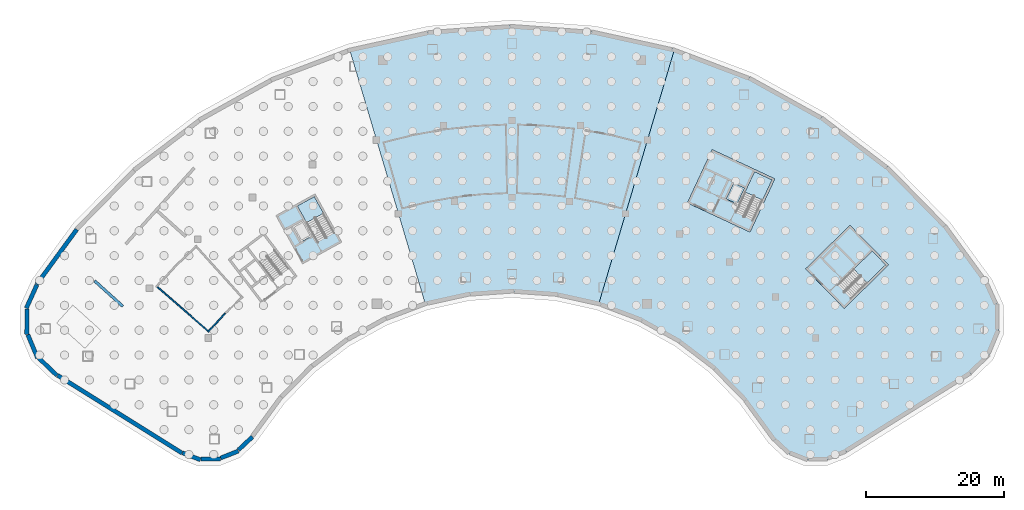
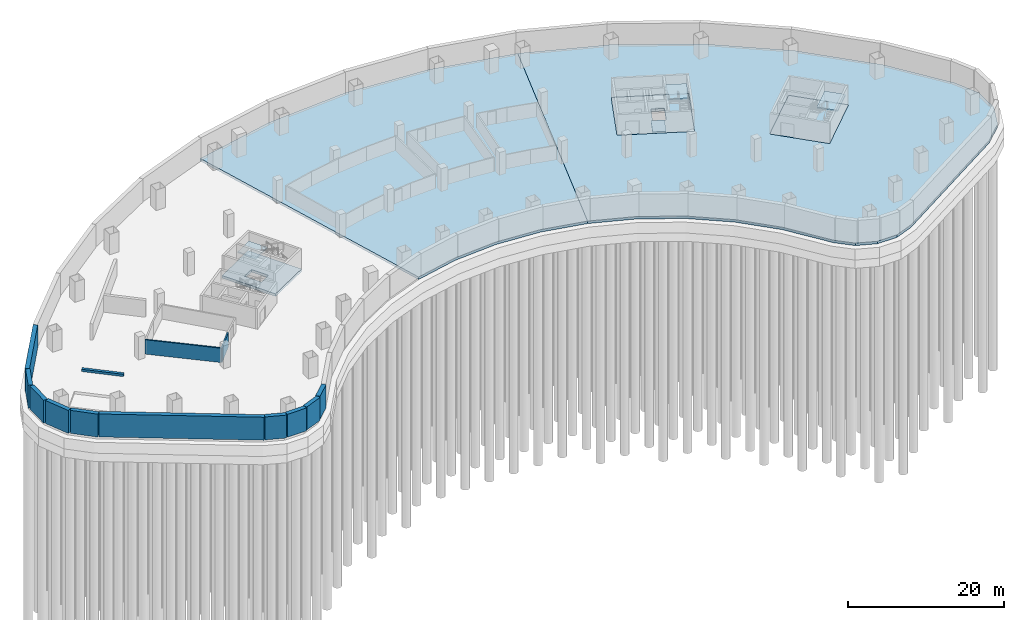
# One storey, part 3 of 10: 13 walls, 9 slabs, 3 elements without a shape of their own.
"""IFC4 building model written with IfcOpenShell, lengths in metres."""

from ifc_helpers import new_model, si_unit, direction, frame, frame_2d, origin, place, context, subcontext, project, spatial, polyline, rectangle, outline, extrude, material, layer, layer_set, type_object, element, aggregate, save


model = new_model("IFC4")

# Units and contexts
model_context = context("Model", 3, precision=1e-05, world=origin(), true_north=direction((0.0, 1.0)))
body_context = subcontext(model_context, "Body", "Model", "MODEL_VIEW")
ifc_project = project(units=[si_unit("LENGTHUNIT", "METRE"), si_unit("AREAUNIT", "SQUARE_METRE"), si_unit("VOLUMEUNIT", "CUBIC_METRE"), si_unit("PLANEANGLEUNIT", "RADIAN"), si_unit("MASSUNIT", "GRAM", prefix="KILO")], contexts=[model_context])

# Site, building, storey
site_placement = place(None, origin())
site = spatial("IfcSite", under=ifc_project, at=site_placement, CompositionType="ELEMENT")
building_placement = place(site_placement, origin())
building = spatial("IfcBuilding", under=site, at=building_placement, Name="Tuul Gate Civic Tower", CompositionType="ELEMENT")
storey_placement = place(building_placement, frame((0.0, 0.0, -11.699951171875)))
storey = spatial("IfcBuildingStorey", under=building, at=storey_placement, Name="Basement 3", CompositionType="ELEMENT", Elevation=-11.699951171875)

# Slabs
ifc_material_1 = material(Name="Concrete C40/50", Category="concrete")
ifc_layer_1 = layer(ifc_material_1, 0.39990234375)
ifc_layer_set_1 = layer_set([ifc_layer_1], Name="Concrete C40/50")
slab_type_1 = type_object("IfcSlabType", Name="Core floor slab 400", PredefinedType="FLOOR", material=ifc_layer_set_1)
slab_1_placement = place(storey_placement, frame((0.0, 0.0, -0.400146484375)))
element("IfcSlab", 1, at=slab_1_placement, inside=storey, type_object=slab_type_1, Name="FLOOR SLAB", PredefinedType="FLOOR", context=body_context, shape_type="SweptSolid", body=[
    extrude(outline(polyline([(-24.638916015625, -8.846923828125), (-28.51708984375, -1.849853515625), (-34.2021484375, -5.0009765625), (-30.32421875, -11.998046875), (-24.638916015625, -8.846923828125)]), holes=[polyline([(-29.0185546875, -7.958740234375), (-30.254638671875, -5.728515625), (-31.785400390625, -6.576904296875), (-30.54931640625, -8.80712890625), (-29.0185546875, -7.958740234375)])]), origin(), (0.0, 0.0, 1.0), 0.400146484375),
])
slab_2_placement = place(storey_placement, frame((0.0, 0.0, -0.400146484375)))
element("IfcSlab", 2, at=slab_2_placement, inside=storey, type_object=slab_type_1, Name="FLOOR SLAB", PredefinedType="FLOOR", context=body_context, shape_type="SweptSolid", body=[
    extrude(outline(polyline([(48.117919921875, -18.43310546875), (54.545166015625, -12.1328125), (48.945068359375, -6.419921875), (42.517822265625, -12.719970703125), (48.117919921875, -18.43310546875)])), origin(), (0.0, 0.0, 1.0), 0.400146484375),
])
slab_3_placement = place(storey_placement, frame((0.0, 0.0, -0.400146484375)))
element("IfcSlab", 3, at=slab_3_placement, inside=storey, type_object=slab_type_1, Name="FLOOR SLAB", PredefinedType="FLOOR", context=body_context, shape_type="SweptSolid", body=[
    extrude(outline(polyline([(34.465087890625, -7.385986328125), (38.056884765625, 0.31787109375), (28.993896484375, 4.543701171875), (25.40185546875, -3.159912109375), (34.465087890625, -7.385986328125)]), holes=[polyline([(32.60888671875, -3.32080078125), (33.6865234375, -1.009765625), (32.1005859375, -0.27001953125), (31.02294921875, -2.581298828125), (32.60888671875, -3.32080078125)])]), origin(), (0.0, 0.0, 1.0), 0.400146484375),
])

# Stair, slab
ifc_material_2 = material(Name="Concrete C40/50", Category="concrete")
stair_type = type_object("IfcStairType", Name="Exit stair", PredefinedType="HALF_TURN_STAIR", material=ifc_material_2)
stair_1_placement = place(storey_placement, origin())
stair_1 = element("IfcStair", 4, at=stair_1_placement, inside=storey, type_object=stair_type, Name="Basement 3 ST-2", PredefinedType="HALF_TURN_STAIR")
ifc_material_3 = material(Name="Concrete C40/50", Category="concrete")
ifc_layer_2 = layer(ifc_material_3, 0.199951171875)
ifc_layer_set_2 = layer_set([ifc_layer_2], Name="Concrete C40/50")
slab_type_2 = type_object("IfcSlabType", Name="Exit stair landing", PredefinedType="LANDING", material=ifc_layer_set_2)
slab_4_placement = place(storey_placement, frame((0.0, 0.0, 1.599853515625)))
slab_4 = element("IfcSlab", 5, at=slab_4_placement, type_object=slab_type_2, Name="ST-2 landing 1", PredefinedType="LANDING", context=body_context, shape_type="SweptSolid", body=[
    extrude(outline(polyline([(-27.2998046875, -4.6630859375), (-29.750244140625, -6.021240234375), (-31.084228515625, -3.61474609375), (-28.6337890625, -2.256591796875), (-27.2998046875, -4.6630859375)])), origin(), (0.0, 0.0, 1.0), 0.2001953125),
])
aggregate(stair_1, [slab_4])

stair_2_placement = place(storey_placement, origin())
stair_2 = element("IfcStair", 6, at=stair_2_placement, inside=storey, type_object=stair_type, Name="Basement 3 ST-3", PredefinedType="HALF_TURN_STAIR")
slab_5_placement = place(storey_placement, frame((0.0, 0.0, 1.599853515625)))
slab_5 = element("IfcSlab", 7, at=slab_5_placement, type_object=slab_type_2, Name="ST-3 landing 1", PredefinedType="LANDING", context=body_context, shape_type="SweptSolid", body=[
    extrude(outline(polyline([(51.44287109375, -14.7548828125), (49.481689453125, -12.754150390625), (52.160888671875, -10.1279296875), (54.1220703125, -12.128662109375), (51.44287109375, -14.7548828125)])), origin(), (0.0, 0.0, 1.0), 0.2001953125),
])
aggregate(stair_2, [slab_5])

stair_3_placement = place(storey_placement, origin())
stair_3 = element("IfcStair", 8, at=stair_3_placement, inside=storey, type_object=stair_type, Name="Basement 3 ST-4", PredefinedType="HALF_TURN_STAIR")
slab_6_placement = place(storey_placement, frame((0.0, 0.0, 1.599853515625)))
slab_6 = element("IfcSlab", 9, at=slab_6_placement, type_object=slab_type_2, Name="ST-4 landing 1", PredefinedType="LANDING", context=body_context, shape_type="SweptSolid", body=[
    extrude(outline(polyline([(36.28515625, -2.77392578125), (33.74609375, -1.590087890625), (35.1201171875, 1.35693359375), (37.659423828125, 0.173095703125), (36.28515625, -2.77392578125)])), origin(), (0.0, 0.0, 1.0), 0.2001953125),
])
aggregate(stair_3, [slab_6])

# Slabs
ifc_material_4 = material(Name="Concrete C40/50", Category="concrete")
ifc_layer_3 = layer(ifc_material_4, 0.300048828125)
ifc_layer_set_3 = layer_set([ifc_layer_3], Name="Concrete C40/50")
slab_type_3 = type_object("IfcSlabType", Name="Lift pit floor", PredefinedType="USERDEFINED", material=ifc_layer_set_3)
slab_7_placement = place(storey_placement, frame((0.0, 0.0, -2.10009765625)))
element("IfcSlab", 10, at=slab_7_placement, inside=storey, type_object=slab_type_3, Name="Lift pit floor FF-2", ObjectType="LIFT PIT FLOOR", PredefinedType="USERDEFINED", context=body_context, shape_type="SweptSolid", body=[
    extrude(outline(polyline([(32.60888671875, -3.32080078125), (33.6865234375, -1.009765625), (32.1005859375, -0.27001953125), (31.02294921875, -2.581298828125), (32.60888671875, -3.32080078125)])), origin(), (0.0, 0.0, 1.0), 0.300048828125),
])
ifc_material_5 = material(Name="Concrete C35/45", Category="concrete")
ifc_layer_4 = layer(ifc_material_5, 0.39990234375)
ifc_layer_set_4 = layer_set([ifc_layer_4], Name="Concrete C35/45")
slab_type_4 = type_object("IfcSlabType", Name="STR-BASE-SLAB-400", PredefinedType="BASESLAB", material=ifc_layer_set_4)
slab_8_placement = place(storey_placement, frame((0.0, 0.0, -0.400146484375)))
element("IfcSlab", 11, at=slab_8_placement, inside=storey, type_object=slab_type_4, Name="Basement 3/slab/M", PredefinedType="BASESLAB", context=body_context, shape_type="SweptSolid", body=[
    extrude(outline(polyline([(12.52587890625, -17.904052734375), (23.535888671875, 19.093017578125), (11.89208984375, 21.659912109375), (0.0, 22.52099609375), (-11.89208984375, 21.659912109375), (-23.535888671875, 19.093017578125), (-12.52587890625, -17.904052734375), (-6.3291015625, -16.5380859375), (0.0, -16.080078125), (6.3291015625, -16.5380859375), (12.52587890625, -17.904052734375)])), origin(), (0.0, 0.0, 1.0), 0.400146484375),
])
slab_9_placement = place(storey_placement, frame((0.0, 0.0, -0.400146484375)))
element("IfcSlab", 12, at=slab_9_placement, inside=storey, type_object=slab_type_4, Name="Basement 3/slab/E", PredefinedType="BASESLAB", context=body_context, shape_type="SweptSolid", body=[
    extrude(outline(polyline([(45.388916015625, -40.43994140625), (48.069091796875, -39.39697265625), (66.256103515625, -28.031982421875), (68.988037109375, -25.4150390625), (70.447998046875, -21.924072265625), (70.39208984375, -18.14111328125), (68.8310546875, -14.695068359375), (62.948974609375, -6.64208984375), (54.60302734375, 1.873046875), (45.116943359375, 9.095947265625), (34.68798828125, 14.8759765625), (23.535888671875, 19.093017578125), (12.52587890625, -17.904052734375), (18.4619140625, -20.14892578125), (24.011962890625, -23.22509765625), (29.06103515625, -27.070068359375), (33.50390625, -31.60107421875), (37.739990234375, -37.402099609375), (39.840087890625, -39.367919921875), (42.512939453125, -40.429931640625), (45.388916015625, -40.43994140625)]), holes=[polyline([(48.117919921875, -18.43310546875), (42.51806640625, -12.719970703125), (48.945068359375, -6.419921875), (54.544921875, -12.133056640625), (48.117919921875, -18.43310546875)]), polyline([(25.402099609375, -3.159912109375), (28.993896484375, 4.5439453125), (38.056884765625, 0.318115234375), (34.465087890625, -7.385986328125), (25.402099609375, -3.159912109375)])]), origin(), (0.0, 0.0, 1.0), 0.400146484375),
])

# Walls
ifc_material_6 = material(Name="Concrete block", Category="concrete")
ifc_layer_5 = layer(ifc_material_6, 0.199951171875)
ifc_layer_set_5 = layer_set([ifc_layer_5], Name="Concrete block")
wall_type_1 = type_object("IfcWallType", Name="Basement room wall EI 120", PredefinedType="PARTITIONING", material=ifc_layer_set_5)
wall_1_placement = place(storey_placement, frame((-41.534423828125, -19.14599609375, 0.0), z_axis=(0.0, 0.0, 1.0), x_axis=(-0.678409786411, -0.734683715418, 0.0)))
element("IfcWall", 13, at=wall_1_placement, inside=storey, type_object=wall_type_1, Name="Room wall", PredefinedType="PARTITIONING", context=body_context, shape_type="SweptSolid", body=[
    extrude(rectangle(XDim=3.674560546875, YDim=0.199951171875, at=frame_2d((1.83740234375, 0.0))), origin(), (0.0, 0.0, 1.0), 2.25),
])
wall_2_placement = place(storey_placement, frame((-43.884033203125, -21.837890625, 0.0), z_axis=(0.0, 0.0, 1.0), x_axis=(-0.754576981517, 0.656211535227, 0.0)))
element("IfcWall", 14, at=wall_2_placement, inside=storey, type_object=wall_type_1, Name="Room wall", PredefinedType="PARTITIONING", context=body_context, shape_type="SweptSolid", body=[
    extrude(rectangle(XDim=10.12890625, YDim=0.199951171875, at=frame_2d((5.064453125, 0.0))), origin(), (0.0, 0.0, 1.0), 2.25),
])
ifc_material_7 = material(Name="Concrete C40/50", Category="concrete")
ifc_layer_6 = layer(ifc_material_7, 0.39990234375)
ifc_layer_set_6 = layer_set([ifc_layer_6], Name="Concrete C40/50")
wall_type_2 = type_object("IfcWallType", Name="Ramp support wall 368 HIGH", PredefinedType="SOLIDWALL", material=ifc_layer_set_6)
wall_3_placement = place(storey_placement, frame((-60.44482421875, -14.457763671875, -0.0009765625), z_axis=(0.0, 0.0, 1.0), x_axis=(0.743157285666, -0.669116767658, 0.0)))
element("IfcWall", 15, at=wall_3_placement, inside=storey, type_object=wall_type_2, Name="Ramp support wall 368 HIGH", PredefinedType="SOLIDWALL", context=body_context, shape_type="SweptSolid", body=[
    extrude(rectangle(XDim=5.5, YDim=0.39990234375, at=frame_2d((2.75, 0.0))), origin(), (0.0, 0.0, 1.0), 0.368408203125),
])
ifc_material_8 = material(Name="Concrete C40/50", Category="concrete")
ifc_layer_7 = layer(ifc_material_8, 0.60009765625)
ifc_layer_set_7 = layer_set([ifc_layer_7], Name="Concrete C40/50")
wall_type_3 = type_object("IfcWallType", Name="STR-BASEMENT-WALL-600", PredefinedType="SOLIDWALL", material=ifc_layer_set_7)
wall_4_placement = place(storey_placement, frame((-63.036376953125, -7.014892578125, 0.0), z_axis=(0.0, 0.0, 1.0), x_axis=(-0.589717467002, -0.807609626684, 0.0)))
element("IfcWall", 16, at=wall_4_placement, inside=storey, type_object=wall_type_3, Name="Retaining wall", PredefinedType="SOLIDWALL", context=body_context, shape_type="SweptSolid", body=[
    extrude(rectangle(XDim=9.844482421875, YDim=0.60009765625, at=frame_2d((4.92236328125, 0.0))), origin(), (0.0, 0.0, 1.0), 3.599853515625),
])
wall_5_placement = place(storey_placement, frame((-68.81201171875, -15.04736328125, 0.0), z_axis=(0.0, 0.0, 1.0), x_axis=(-0.413006193116, -0.910728216565, 0.0)))
element("IfcWall", 17, at=wall_5_placement, inside=storey, type_object=wall_type_3, Name="Retaining wall", PredefinedType="SOLIDWALL", context=body_context, shape_type="SweptSolid", body=[
    extrude(rectangle(XDim=3.694580078125, YDim=0.60009765625, at=frame_2d((1.84716796875, 0.0))), origin(), (0.0, 0.0, 1.0), 3.599853515625),
])
wall_6_placement = place(storey_placement, frame((-70.2197265625, -18.53515625, 0.0), z_axis=(0.0, 0.0, 1.0), x_axis=(-0.014360576456, -0.999896881605, 0.0)))
element("IfcWall", 18, at=wall_6_placement, inside=storey, type_object=wall_type_3, Name="Retaining wall", PredefinedType="SOLIDWALL", context=body_context, shape_type="SweptSolid", body=[
    extrude(rectangle(XDim=3.6552734375, YDim=0.60009765625, at=frame_2d((1.82763671875, 0.0))), origin(), (0.0, 0.0, 1.0), 3.599853515625),
])
wall_7_placement = place(storey_placement, frame((-70.115234375, -22.255126953125, 0.0), z_axis=(0.0, 0.0, 1.0), x_axis=(0.385800961198, -0.922582038812, 0.0)))
element("IfcWall", 19, at=wall_7_placement, inside=storey, type_object=wall_type_3, Name="Retaining wall", PredefinedType="SOLIDWALL", context=body_context, shape_type="SweptSolid", body=[
    extrude(rectangle(XDim=3.654541015625, YDim=0.60009765625, at=frame_2d((1.8271484375, 0.0))), origin(), (0.0, 0.0, 1.0), 3.599853515625),
])
wall_8_placement = place(storey_placement, frame((-68.534912109375, -25.6240234375, 0.0), z_axis=(0.0, 0.0, 1.0), x_axis=(0.722138330628, -0.691748676499, 0.0)))
element("IfcWall", 20, at=wall_8_placement, inside=storey, type_object=wall_type_3, Name="Retaining wall", PredefinedType="SOLIDWALL", context=body_context, shape_type="SweptSolid", body=[
    extrude(rectangle(XDim=3.6552734375, YDim=0.60009765625, at=frame_2d((1.82763671875, 0.0))), origin(), (0.0, 0.0, 1.0), 3.599853515625),
])
wall_9_placement = place(storey_placement, frame((-65.809814453125, -28.1337890625, 0.0), z_axis=(0.0, 0.0, 1.0), x_axis=(0.848038340643, -0.529934875999, 0.0)))
element("IfcWall", 21, at=wall_9_placement, inside=storey, type_object=wall_type_3, Name="Retaining wall", PredefinedType="SOLIDWALL", context=body_context, shape_type="SweptSolid", body=[
    extrude(rectangle(XDim=21.23876953125, YDim=0.60009765625, at=frame_2d((10.619384765625, 0.0))), origin(), (0.0, 0.0, 1.0), 3.599853515625),
])
wall_10_placement = place(storey_placement, frame((-47.724853515625, -39.357666015625, 0.0), z_axis=(0.0, 0.0, 1.0), x_axis=(0.931985018109, -0.362496794497, 0.0)))
element("IfcWall", 22, at=wall_10_placement, inside=storey, type_object=wall_type_3, Name="Retaining wall", PredefinedType="SOLIDWALL", context=body_context, shape_type="SweptSolid", body=[
    extrude(rectangle(XDim=2.797607421875, YDim=0.60009765625, at=frame_2d((1.39892578125, 0.0))), origin(), (0.0, 0.0, 1.0), 3.599853515625),
])
wall_11_placement = place(storey_placement, frame((-45.0068359375, -40.26171875, 0.0), z_axis=(0.0, 0.0, 1.0), x_axis=(0.999995206655, 0.003096234274, 0.0)))
element("IfcWall", 23, at=wall_11_placement, inside=storey, type_object=wall_type_3, Name="Retaining wall", PredefinedType="SOLIDWALL", context=body_context, shape_type="SweptSolid", body=[
    extrude(rectangle(XDim=2.759765625, YDim=0.60009765625, at=frame_2d((1.3798828125, 0.0))), origin(), (0.0, 0.0, 1.0), 3.599853515625),
])
wall_12_placement = place(storey_placement, frame((-42.184326171875, -40.10986328125, 0.0), z_axis=(0.0, 0.0, 1.0), x_axis=(0.929413190064, 0.369040813643, 0.0)))
element("IfcWall", 24, at=wall_12_placement, inside=storey, type_object=wall_type_3, Name="Retaining wall", PredefinedType="SOLIDWALL", context=body_context, shape_type="SweptSolid", body=[
    extrude(rectangle(XDim=2.760009765625, YDim=0.60009765625, at=frame_2d((1.3798828125, 0.0))), origin(), (0.0, 0.0, 1.0), 3.599853515625),
])
wall_13_placement = place(storey_placement, frame((-39.61328125, -38.935302734375, 0.0), z_axis=(0.0, 0.0, 1.0), x_axis=(0.729851482582, 0.683605744105, 0.0)))
element("IfcWall", 25, at=wall_13_placement, inside=storey, type_object=wall_type_3, Name="Retaining wall", PredefinedType="SOLIDWALL", context=body_context, shape_type="SweptSolid", body=[
    extrude(rectangle(XDim=2.760986328125, YDim=0.60009765625, at=frame_2d((1.38037109375, 0.0))), origin(), (0.0, 0.0, 1.0), 3.599853515625),
])

save(model, "model.ifc")
